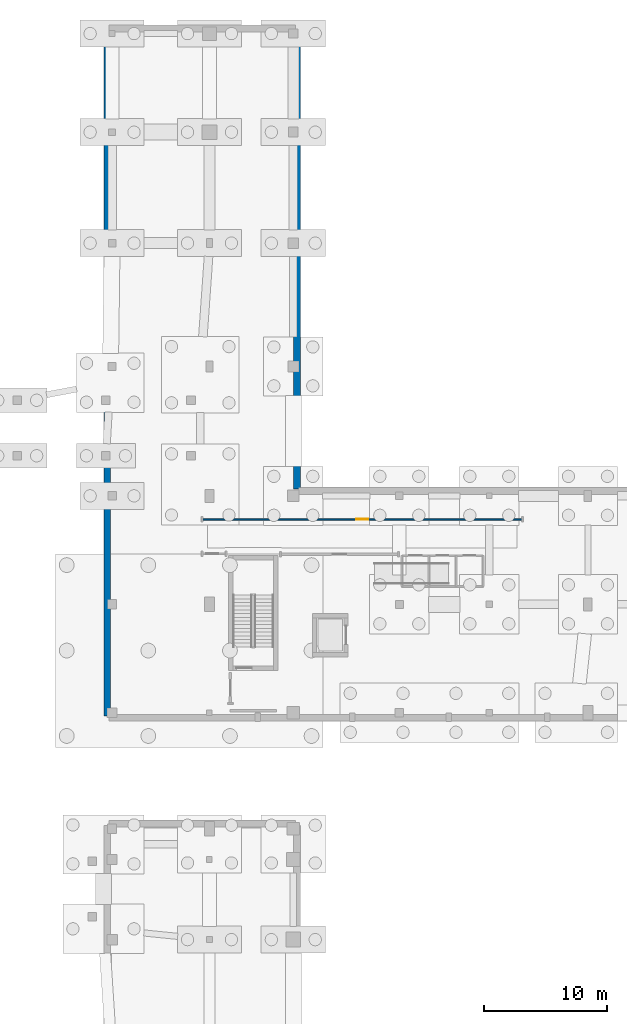
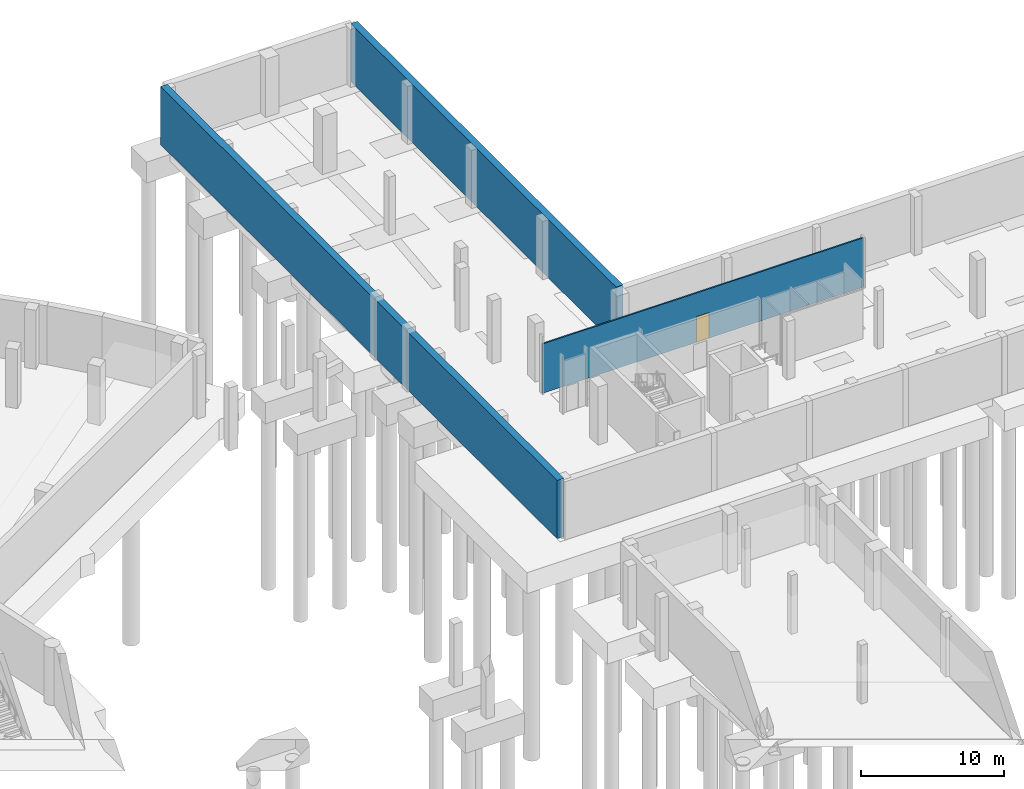
# One storey, part 16 of 33: 3 walls, 1 door, 1 opening.
"""IFC4 building model written with IfcOpenShell, lengths in metres."""

from ifc_helpers import new_model, si_unit, direction, frame, frame_2d, origin, place, context, subcontext, project, spatial, rectangle, extrude, material, layer, layer_set, type_object, element, fill, save


model = new_model("IFC4")

# Units and contexts
model_context = context("Model", 3, precision=1e-05, world=origin(), true_north=direction((0.0, 1.0)))
body_context = subcontext(model_context, "Body", "Model", "MODEL_VIEW")
ifc_project = project(units=[si_unit("LENGTHUNIT", "METRE"), si_unit("AREAUNIT", "SQUARE_METRE"), si_unit("VOLUMEUNIT", "CUBIC_METRE"), si_unit("PLANEANGLEUNIT", "RADIAN"), si_unit("MASSUNIT", "GRAM", prefix="KILO")], contexts=[model_context])

# Site, building, storey
site_placement = place(None, origin())
site = spatial("IfcSite", under=ifc_project, at=site_placement, CompositionType="ELEMENT")
building_placement = place(site_placement, origin())
building = spatial("IfcBuilding", under=site, at=building_placement, Name="Soyqirgoq Riverine Aquarium", CompositionType="ELEMENT")
storey_placement = place(building_placement, frame((0.0, 0.0, -5.39990234375)))
storey = spatial("IfcBuildingStorey", under=building, at=storey_placement, Name="B01", CompositionType="ELEMENT", Elevation=-5.39990234375)

# Wall, opening, door
ifc_material_1 = material(Name="Lightweight steel-stud gypsum partition", Category="steel")
ifc_layer_1 = layer(ifc_material_1, 0.1201171875)
ifc_layer_set_1 = layer_set([ifc_layer_1], Name="Lightweight steel-stud gypsum partition")
wall_type_1 = type_object("IfcWallType", Name="PartitionWall_120_Std", PredefinedType="PARTITIONING", material=ifc_layer_set_1)
wall_1_placement = place(storey_placement, frame((148.0, 72.39990234375, 0.0), z_axis=(0.0, 0.0, 1.0), x_axis=(-1.0, 0.0, 0.0)))
wall_1 = element("IfcWall", 1, at=wall_1_placement, inside=storey, type_object=wall_type_1, Name="Life Support Basement Corridor Partition Wall", PredefinedType="PARTITIONING", context=body_context, shape_type="SweptSolid", body=[
    extrude(rectangle(XDim=26.0, YDim=0.1201171875, at=frame_2d((13.0, 0.0))), origin(), (0.0, 0.0, 1.0), 4.219970703125),
])
opening_placement = place(wall_1_placement, frame((12.5, 0.0, 0.0)))
opening = element("IfcOpeningElement", 2, at=opening_placement, cuts=wall_1, Name="Opening ID-03", PredefinedType="OPENING", context=body_context, shape_type="SweptSolid", body=[
    extrude(rectangle(XDim=1.0, YDim=2.199951171875, at=frame_2d((0.5, 1.10009765625))), frame((0.0, 0.070068359375, 0.0), z_axis=(0.0, -1.0, 0.0), x_axis=(1.0, 0.0, 0.0)), (0.0, 0.0, 1.0), 0.14013671875),
])
ifc_material_2 = material(Name="Solid-core ash veneer room door", Category="wood")
door_type = type_object("IfcDoorType", Name="RoomDoor_1000x2200", OperationType="NOTDEFINED", PredefinedType="DOOR", material=ifc_material_2)
door_placement = place(opening_placement, origin())
door = element("IfcDoor", 3, at=door_placement, inside=storey, type_object=door_type, Name="IDR-V7-B01-0208 Life Support Basement Corridor Door", OperationType="SINGLE_SWING_RIGHT", OverallHeight=2.199951171875, OverallWidth=1.0, PredefinedType="DOOR", context=body_context, shape_type="SweptSolid", body=[
    extrude(rectangle(XDim=1.0, YDim=2.199951171875, at=frame_2d((0.5, 1.10009765625))), frame((0.0, 0.02490234375, 0.0), z_axis=(0.0, -1.0, 0.0), x_axis=(1.0, 0.0, 0.0)), (0.0, 0.0, 1.0), 0.050048828125),
])
fill(opening, door)

# Walls
ifc_material_3 = material(Name="Concrete C35/45", Category="concrete")
ifc_layer_2 = layer(ifc_material_3, 0.550048828125)
ifc_layer_set_2 = layer_set([ifc_layer_2], Name="Concrete C35/45")
wall_type_2 = type_object("IfcWallType", Name="RetainingWall_550_C35", PredefinedType="USERDEFINED", material=ifc_layer_set_2)
wall_2_placement = place(storey_placement, frame((114.300048828125, 56.4375, 0.0), z_axis=(0.0, 0.0, 1.0), x_axis=(0.0, 1.0, 0.0)))
element("IfcWall", 4, at=wall_2_placement, inside=storey, type_object=wall_type_2, Name="V7 B01 Perimeter Retaining Wall 106", ObjectType="RETAININGWALL", PredefinedType="USERDEFINED", context=body_context, shape_type="SweptSolid", body=[
    extrude(rectangle(XDim=55.625, YDim=0.550048828125, at=frame_2d((27.8125, 0.0))), origin(), (0.0, 0.0, 1.0), 4.97998046875),
])
wall_3_placement = place(storey_placement, frame((129.699951171875, 112.0625, 0.0), z_axis=(0.0, 0.0, 1.0), x_axis=(0.0, -1.0, 0.0)))
element("IfcWall", 5, at=wall_3_placement, inside=storey, type_object=wall_type_2, Name="V7 B01 Perimeter Retaining Wall 108", ObjectType="RETAININGWALL", PredefinedType="USERDEFINED", context=body_context, shape_type="SweptSolid", body=[
    extrude(rectangle(XDim=37.22509765625, YDim=0.550048828125, at=frame_2d((18.612548828125, 0.0))), origin(), (0.0, 0.0, 1.0), 4.97998046875),
])

save(model, "model.ifc")
